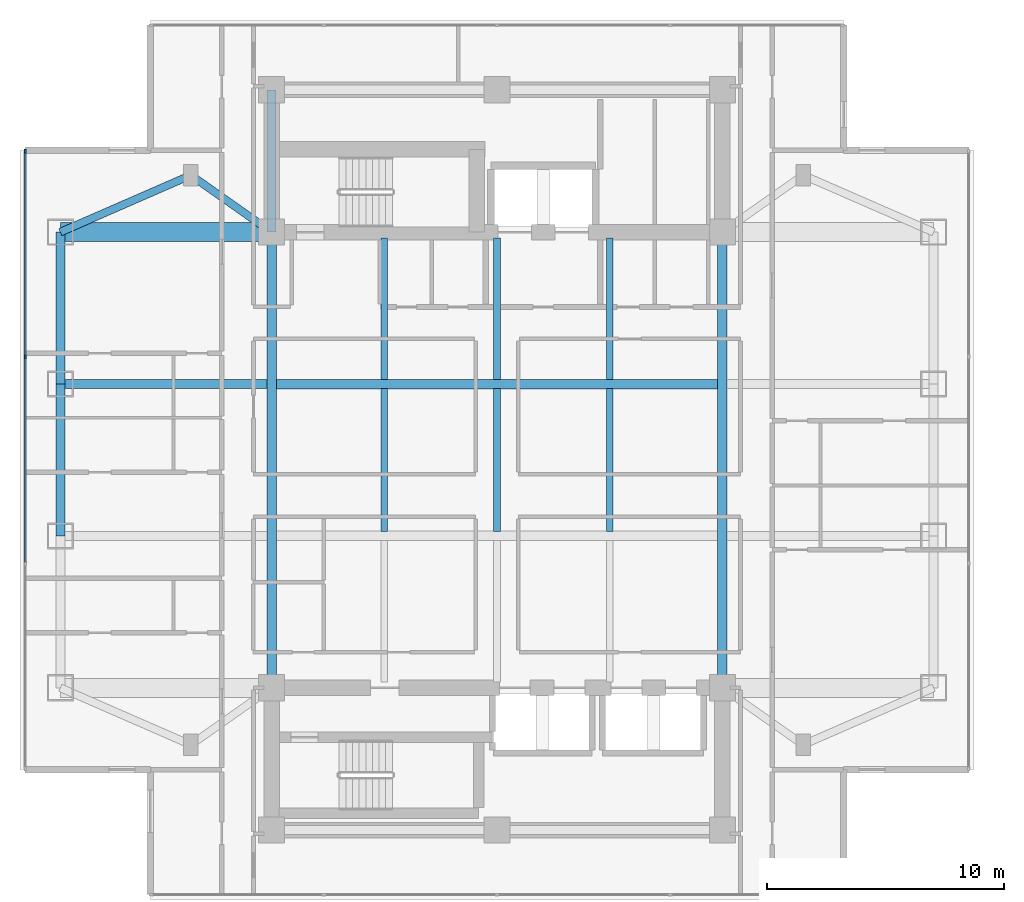
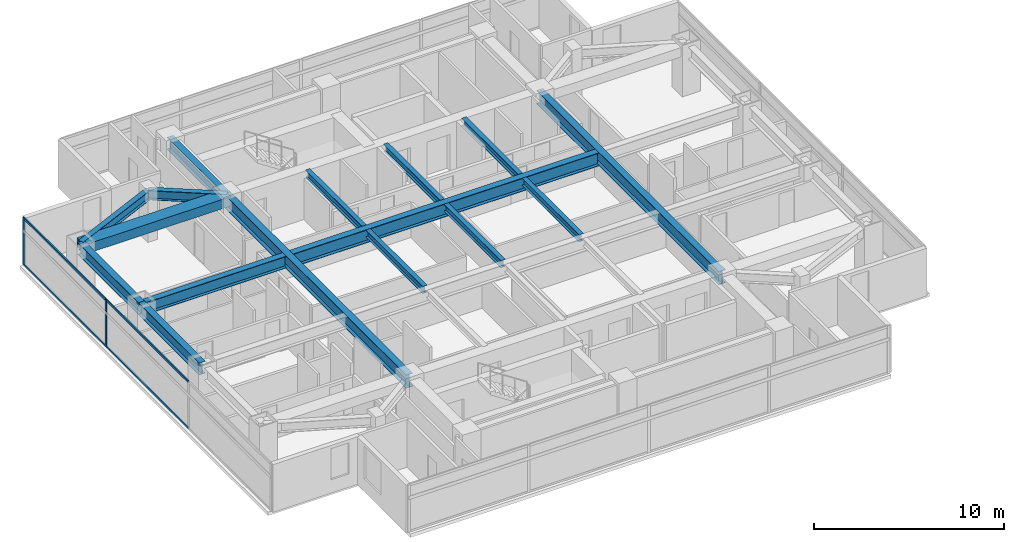
# One storey, part 3 of 24: 16 beams, 6 members, 1 element without a shape of its own.
"""IFC4 building model written with IfcOpenShell, lengths in metres."""

from ifc_helpers import new_model, si_unit, direction, frame, origin, origin_2d, place, context, subcontext, project, spatial, rectangle, i_section, extrude, material, material_profile, profile_set, type_object, element, aggregate, save


model = new_model("IFC4")

# Units and contexts
model_context = context("Model", 3, precision=1e-05, world=origin(), true_north=direction((0.0, 1.0)))
body_context = subcontext(model_context, "Body", "Model", "MODEL_VIEW")
ifc_project = project(units=[si_unit("LENGTHUNIT", "METRE"), si_unit("AREAUNIT", "SQUARE_METRE"), si_unit("VOLUMEUNIT", "CUBIC_METRE"), si_unit("PLANEANGLEUNIT", "RADIAN"), si_unit("MASSUNIT", "GRAM", prefix="KILO")], contexts=[model_context])

# Site, building, storey
site_placement = place(None, origin())
site = spatial("IfcSite", under=ifc_project, at=site_placement, CompositionType="ELEMENT")
building_placement = place(site_placement, origin())
building = spatial("IfcBuilding", under=site, at=building_placement, Name="Mirazonda Arch Towers", CompositionType="ELEMENT")
storey_placement = place(building_placement, frame((0.0, 0.0, 118.10009765625)))
storey = spatial("IfcBuildingStorey", under=building, at=storey_placement, Name="L33", CompositionType="ELEMENT", Elevation=118.10009765625)

# Beams
ifc_material_1 = material(Name="Steel ASTM A992 Grade 50", Category="steel")
ifc_material_profile_1 = material_profile(ifc_material_1, i_section(OverallWidth=0.381103515625, OverallDepth=0.77294921875, WebThickness=0.0166015625, FlangeThickness=0.027099609375, at=origin_2d()), Name="W30X173")
ifc_profile_set_1 = profile_set([ifc_material_profile_1], Name="Steel ASTM A992 Grade 50")
beam_type_1 = type_object("IfcBeamType", Name="BM-EXT-W30X173", PredefinedType="USERDEFINED", material=ifc_profile_set_1)
beam_1_placement = place(storey_placement, frame((2.10009765625, 24.800048828125, 2.693359375), z_axis=(0.0, 1.0, 0.0), x_axis=(-1.0, 0.0, 0.0)))
element("IfcBeam", 1, at=beam_1_placement, inside=storey, type_object=beam_type_1, Name="L33 Floor Beam BM-T1-L33-NS-W-24", ObjectType="GIRDER", PredefinedType="USERDEFINED", context=body_context, shape_type="SweptSolid", body=[
    extrude(i_section(OverallWidth=0.381103515625, OverallDepth=0.77294921875, WebThickness=0.0166015625, FlangeThickness=0.027099609375, at=origin_2d()), origin(), (0.0, 0.0, 1.0), 6.39990234375),
])
beam_2_placement = place(storey_placement, frame((2.10009765625, 31.199951171875, 2.693359375), z_axis=(0.0, 1.0, 0.0), x_axis=(-1.0, 0.0, 0.0)))
element("IfcBeam", 2, at=beam_2_placement, inside=storey, type_object=beam_type_1, Name="L33 Floor Beam BM-T1-L33-NS-W-31", ObjectType="GIRDER", PredefinedType="USERDEFINED", context=body_context, shape_type="SweptSolid", body=[
    extrude(i_section(OverallWidth=0.381103515625, OverallDepth=0.77294921875, WebThickness=0.0166015625, FlangeThickness=0.027099609375, at=origin_2d()), origin(), (0.0, 0.0, 1.0), 6.400146484375),
])
ifc_material_profile_2 = material_profile(ifc_material_1, i_section(OverallWidth=0.280029296875, OverallDepth=0.462890625, WebThickness=0.0107421875, FlangeThickness=0.017333984375, at=origin_2d()), Name="W18X76")
ifc_profile_set_2 = profile_set([ifc_material_profile_2], Name="Steel ASTM A992 Grade 50")
beam_type_2 = type_object("IfcBeamType", Name="BM-INT-W18X76", PredefinedType="JOIST", material=ifc_profile_set_2)
beam_3_placement = place(storey_placement, frame((15.75, 31.39599609375, 2.848388671875), z_axis=(0.0, 1.0, 0.0), x_axis=(-1.0, 0.0, 0.0)))
element("IfcBeam", 3, at=beam_3_placement, inside=storey, type_object=beam_type_2, Name="L33 Floor Beam BM-T1-L33-J-157-31", PredefinedType="JOIST", context=body_context, shape_type="SweptSolid", body=[
    extrude(i_section(OverallWidth=0.280029296875, OverallDepth=0.462890625, WebThickness=0.0107421875, FlangeThickness=0.017333984375, at=origin_2d()), origin(), (0.0, 0.0, 1.0), 5.964111328125),
])
beam_4_placement = place(storey_placement, frame((15.75, 24.99609375, 2.848388671875), z_axis=(0.0, 1.0, 0.0), x_axis=(-1.0, 0.0, 0.0)))
element("IfcBeam", 4, at=beam_4_placement, inside=storey, type_object=beam_type_2, Name="L33 Floor Beam BM-T1-L33-J-157-24", PredefinedType="JOIST", context=body_context, shape_type="SweptSolid", body=[
    extrude(i_section(OverallWidth=0.280029296875, OverallDepth=0.462890625, WebThickness=0.0107421875, FlangeThickness=0.017333984375, at=origin_2d()), origin(), (0.0, 0.0, 1.0), 6.0078125),
])
beam_5_placement = place(storey_placement, frame((20.5, 31.39599609375, 2.848388671875), z_axis=(0.0, 1.0, 0.0), x_axis=(-1.0, 0.0, 0.0)))
element("IfcBeam", 5, at=beam_5_placement, inside=storey, type_object=beam_type_2, Name="L33 Floor Beam BM-T1-L33-J-205-31", PredefinedType="JOIST", context=body_context, shape_type="SweptSolid", body=[
    extrude(i_section(OverallWidth=0.280029296875, OverallDepth=0.462890625, WebThickness=0.0107421875, FlangeThickness=0.017333984375, at=origin_2d()), origin(), (0.0, 0.0, 1.0), 5.964111328125),
])
beam_6_placement = place(storey_placement, frame((20.5, 24.99609375, 2.848388671875), z_axis=(0.0, 1.0, 0.0), x_axis=(-1.0, 0.0, 0.0)))
element("IfcBeam", 6, at=beam_6_placement, inside=storey, type_object=beam_type_2, Name="L33 Floor Beam BM-T1-L33-J-205-24", PredefinedType="JOIST", context=body_context, shape_type="SweptSolid", body=[
    extrude(i_section(OverallWidth=0.280029296875, OverallDepth=0.462890625, WebThickness=0.0107421875, FlangeThickness=0.017333984375, at=origin_2d()), origin(), (0.0, 0.0, 1.0), 6.0078125),
])
beam_7_placement = place(storey_placement, frame((25.25, 31.39599609375, 2.848388671875), z_axis=(0.0, 1.0, 0.0), x_axis=(-1.0, 0.0, 0.0)))
element("IfcBeam", 7, at=beam_7_placement, inside=storey, type_object=beam_type_2, Name="L33 Floor Beam BM-T1-L33-J-252-31", PredefinedType="JOIST", context=body_context, shape_type="SweptSolid", body=[
    extrude(i_section(OverallWidth=0.280029296875, OverallDepth=0.462890625, WebThickness=0.0107421875, FlangeThickness=0.017333984375, at=origin_2d()), origin(), (0.0, 0.0, 1.0), 5.964111328125),
])
beam_8_placement = place(storey_placement, frame((25.25, 24.99609375, 2.848388671875), z_axis=(0.0, 1.0, 0.0), x_axis=(-1.0, 0.0, 0.0)))
element("IfcBeam", 8, at=beam_8_placement, inside=storey, type_object=beam_type_2, Name="L33 Floor Beam BM-T1-L33-J-252-24", PredefinedType="JOIST", context=body_context, shape_type="SweptSolid", body=[
    extrude(i_section(OverallWidth=0.280029296875, OverallDepth=0.462890625, WebThickness=0.0107421875, FlangeThickness=0.017333984375, at=origin_2d()), origin(), (0.0, 0.0, 1.0), 6.0078125),
])
ifc_material_profile_3 = material_profile(ifc_material_1, i_section(OverallWidth=0.324951171875, OverallDepth=0.615966796875, WebThickness=0.013916015625, FlangeThickness=0.021484375, at=origin_2d()), Name="W24X117")
ifc_profile_set_3 = profile_set([ifc_material_profile_3], Name="Steel ASTM A992 Grade 50")
beam_type_3 = type_object("IfcBeamType", Name="BM-INT-W24X117", PredefinedType="BEAM", material=ifc_profile_set_3)
beam_9_placement = place(storey_placement, frame((7.60009765625, 40.0, 2.77197265625), z_axis=(0.816971114901, -0.576678591087, 0.0), x_axis=(0.576678591087, 0.816971114901, 0.0)))
element("IfcBeam", 9, at=beam_9_placement, inside=storey, type_object=beam_type_3, Name="L33 Floor Beam BM-T1-L33-PL-NW1", PredefinedType="BEAM", context=body_context, shape_type="SweptSolid", body=[
    extrude(i_section(OverallWidth=0.324951171875, OverallDepth=0.615966796875, WebThickness=0.013916015625, FlangeThickness=0.021484375, at=origin_2d()), origin(), (0.0, 0.0, 1.0), 4.16162109375),
])
beam_10_placement = place(storey_placement, frame((7.60009765625, 40.0, 2.77197265625), z_axis=(-0.916545343703, -0.399930785183, 0.0), x_axis=(0.399930785183, -0.916545343703, 0.0)))
element("IfcBeam", 10, at=beam_10_placement, inside=storey, type_object=beam_type_3, Name="L33 Floor Beam BM-T1-L33-PL-NW2", PredefinedType="BEAM", context=body_context, shape_type="SweptSolid", body=[
    extrude(i_section(OverallWidth=0.324951171875, OverallDepth=0.615966796875, WebThickness=0.013916015625, FlangeThickness=0.021484375, at=origin_2d()), origin(), (0.0, 0.0, 1.0), 6.000732421875),
])
ifc_material_profile_4 = material_profile(ifc_material_1, i_section(OverallWidth=0.381103515625, OverallDepth=0.77294921875, WebThickness=0.0166015625, FlangeThickness=0.027099609375, at=origin_2d()), Name="W30X173")
ifc_profile_set_4 = profile_set([ifc_material_profile_4], Name="Steel ASTM A992 Grade 50")
beam_type_4 = type_object("IfcBeamType", Name="BM-INT-W30X173", PredefinedType="USERDEFINED", material=ifc_profile_set_4)
beam_11_placement = place(storey_placement, frame((2.10009765625, 31.199951171875, 2.693359375), z_axis=(1.0, 0.0, 0.0), x_axis=(0.0, 1.0, 0.0)))
element("IfcBeam", 11, at=beam_11_placement, inside=storey, type_object=beam_type_4, Name="L33 Floor Beam BM-T1-L33-GW3", ObjectType="GIRDER", PredefinedType="USERDEFINED", context=body_context, shape_type="SweptSolid", body=[
    extrude(i_section(OverallWidth=0.381103515625, OverallDepth=0.77294921875, WebThickness=0.0166015625, FlangeThickness=0.027099609375, at=origin_2d()), origin(), (0.0, 0.0, 1.0), 8.699951171875),
])
beam_12_placement = place(storey_placement, frame((11.0, 37.60009765625, 2.693359375), z_axis=(0.0, 1.0, 0.0), x_axis=(-1.0, 0.0, 0.0)))
element("IfcBeam", 12, at=beam_12_placement, inside=storey, type_object=beam_type_4, Name="L33 Floor Beam BM-T1-L33-CNW", ObjectType="GIRDER", PredefinedType="USERDEFINED", context=body_context, shape_type="SweptSolid", body=[
    extrude(i_section(OverallWidth=0.381103515625, OverallDepth=0.77294921875, WebThickness=0.0166015625, FlangeThickness=0.027099609375, at=origin_2d()), origin(), (0.0, 0.0, 1.0), 6.0),
])
ifc_material_profile_5 = material_profile(ifc_material_1, i_section(OverallWidth=0.39990234375, OverallDepth=0.85595703125, WebThickness=0.018310546875, FlangeThickness=0.029296875, at=origin_2d()), Name="W33X201")
ifc_profile_set_5 = profile_set([ifc_material_profile_5], Name="Steel ASTM A992 Grade 50")
beam_type_5 = type_object("IfcBeamType", Name="BM-INT-W33X201", PredefinedType="USERDEFINED", material=ifc_profile_set_5)
beam_13_placement = place(storey_placement, frame((11.199951171875, 31.199951171875, 2.65185546875), z_axis=(1.0, 0.0, 0.0), x_axis=(0.0, 1.0, 0.0)))
element("IfcBeam", 13, at=beam_13_placement, inside=storey, type_object=beam_type_5, Name="L33 Floor Beam BM-T1-L33-GC3", ObjectType="GIRDER", PredefinedType="USERDEFINED", context=body_context, shape_type="SweptSolid", body=[
    extrude(i_section(OverallWidth=0.39990234375, OverallDepth=0.85595703125, WebThickness=0.018310546875, FlangeThickness=0.029296875, at=origin_2d()), origin(), (0.0, 0.0, 1.0), 18.60009765625),
])
for number, where, z_axis, x_axis, name in (
    (14, (11.0, 18.39990234375, 2.65185546875), (0.0, 1.0, 0.0), (-1.0, 0.0, 0.0), "L33 Floor Beam BM-T1-L33-NS-CW-FULL"),
    (15, (30.0, 18.39990234375, 2.65185546875), (0.0, 1.0, 0.0), (-1.0, 0.0, 0.0), "L33 Floor Beam BM-T1-L33-NS-CE-FULL"),
):
    element("IfcBeam", number, at=place(storey_placement, frame(where, z_axis=z_axis, x_axis=x_axis)), inside=storey, type_object=beam_type_5, Name=name, ObjectType="GIRDER", PredefinedType="USERDEFINED", context=body_context, shape_type="SweptSolid", body=[
        extrude(i_section(OverallWidth=0.39990234375, OverallDepth=0.85595703125, WebThickness=0.018310546875, FlangeThickness=0.029296875, at=origin_2d()), origin(), (0.0, 0.0, 1.0), 19.2001953125),
    ])
ifc_material_2 = material(Name="Concrete C60/75", Category="concrete")
ifc_material_profile_6 = material_profile(ifc_material_2, rectangle(XDim=0.800048828125, YDim=0.60009765625, at=origin_2d()), Name="RCCB800x600")
ifc_profile_set_6 = profile_set([ifc_material_profile_6], Name="Concrete C60/75")
beam_type_6 = type_object("IfcBeamType", Name="CB-INT-RCCB800x600", PredefinedType="SPANDREL", material=ifc_profile_set_6)
beam_14_placement = place(storey_placement, frame((2.10009765625, 37.60009765625, 2.77978515625), z_axis=(1.0, 0.0, 0.0), x_axis=(0.0, 1.0, 0.0)))
element("IfcBeam", 16, at=beam_14_placement, inside=storey, type_object=beam_type_6, Name="L33 Floor Beam CBC-T1-L33-NW", PredefinedType="SPANDREL", context=body_context, shape_type="SweptSolid", body=[
    extrude(rectangle(XDim=0.800048828125, YDim=0.60009765625, at=origin_2d()), origin(), (0.0, 0.0, 1.0), 8.89990234375),
])

# Curtain wall, members
ifc_material_3 = material(Name="Anodised Aluminium and Low-E Glass", Category="aluminium")
curtain_wall_type = type_object("IfcCurtainWallType", Name="CW-HTL-UNIT", PredefinedType="NOTDEFINED", material=ifc_material_3)
curtain_wall_placement = place(storey_placement, origin())
curtain_wall = element("IfcCurtainWall", 17, at=curtain_wall_placement, inside=storey, type_object=curtain_wall_type, Name="L33 T1 W Facade CW-L33-T1-W", PredefinedType="NOTDEFINED")
ifc_material_4 = material(Name="Anodised Aluminium Alloy", Category="aluminium")
ifc_material_profile_7 = material_profile(ifc_material_4, rectangle(XDim=0.074951171875, YDim=0.1650390625, at=origin_2d()), Name="ALU-MULL-75x165")
ifc_profile_set_7 = profile_set([ifc_material_profile_7], Name="Anodised Aluminium Alloy")
member_type_1 = type_object("IfcMemberType", Name="MULL-CW-HTL-UNIT", PredefinedType="MULLION", material=ifc_profile_set_7)
member_1_placement = place(storey_placement, frame((0.6201171875, 41.012451171875, 0.0), z_axis=(0.0, 0.0, 1.0), x_axis=(1.0, 0.0, 0.0)))
member_1 = element("IfcMember", 18, at=member_1_placement, type_object=member_type_1, Name="CW-112 mullion 1", PredefinedType="MULLION", context=body_context, shape_type="SweptSolid", body=[
    extrude(rectangle(XDim=0.074951171875, YDim=0.1650390625, at=origin_2d()), origin(), (0.0, 0.0, 1.0), 3.059814453125),
])
member_2_placement = place(storey_placement, frame((0.6201171875, 32.35009765625, 0.0), z_axis=(0.0, 0.0, 1.0), x_axis=(1.0, 0.0, 0.0)))
member_2 = element("IfcMember", 19, at=member_2_placement, type_object=member_type_1, Name="CW-112 mullion 2", PredefinedType="MULLION", context=body_context, shape_type="SweptSolid", body=[
    extrude(rectangle(XDim=0.074951171875, YDim=0.1650390625, at=origin_2d()), origin(), (0.0, 0.0, 1.0), 3.059814453125),
])
ifc_material_profile_8 = material_profile(ifc_material_4, rectangle(XDim=0.074951171875, YDim=0.14501953125, at=origin_2d()), Name="ALU-TRAN-75x145")
ifc_profile_set_8 = profile_set([ifc_material_profile_8], Name="Anodised Aluminium Alloy")
member_type_2 = type_object("IfcMemberType", Name="TRAN-CW-HTL-UNIT", PredefinedType="USERDEFINED", material=ifc_profile_set_8)
member_3_placement = place(storey_placement, frame((0.6201171875, 40.97509765625, 0.037353515625), z_axis=(0.0, -1.0, 0.0), x_axis=(1.0, 0.0, 0.0)))
member_3 = element("IfcMember", 20, at=member_3_placement, type_object=member_type_2, Name="CW-112 transom 1.1", ObjectType="TRANSOM", PredefinedType="USERDEFINED", context=body_context, shape_type="SweptSolid", body=[
    extrude(rectangle(XDim=0.074951171875, YDim=0.14501953125, at=origin_2d()), origin(), (0.0, 0.0, 1.0), 8.587646484375),
])
member_4_placement = place(storey_placement, frame((0.6201171875, 40.97509765625, 3.0224609375), z_axis=(0.0, -1.0, 0.0), x_axis=(1.0, 0.0, 0.0)))
member_4 = element("IfcMember", 21, at=member_4_placement, type_object=member_type_2, Name="CW-112 transom 1.2", ObjectType="TRANSOM", PredefinedType="USERDEFINED", context=body_context, shape_type="SweptSolid", body=[
    extrude(rectangle(XDim=0.074951171875, YDim=0.14501953125, at=origin_2d()), origin(), (0.0, 0.0, 1.0), 8.587646484375),
])
member_5_placement = place(storey_placement, frame((0.6201171875, 32.3125, 0.037353515625), z_axis=(0.0, -1.0, 0.0), x_axis=(1.0, 0.0, 0.0)))
member_5 = element("IfcMember", 22, at=member_5_placement, type_object=member_type_2, Name="CW-112 transom 2.1", ObjectType="TRANSOM", PredefinedType="USERDEFINED", context=body_context, shape_type="SweptSolid", body=[
    extrude(rectangle(XDim=0.074951171875, YDim=0.14501953125, at=origin_2d()), origin(), (0.0, 0.0, 1.0), 8.625),
])
member_6_placement = place(storey_placement, frame((0.6201171875, 32.3125, 3.0224609375), z_axis=(0.0, -1.0, 0.0), x_axis=(1.0, 0.0, 0.0)))
member_6 = element("IfcMember", 23, at=member_6_placement, type_object=member_type_2, Name="CW-112 transom 2.2", ObjectType="TRANSOM", PredefinedType="USERDEFINED", context=body_context, shape_type="SweptSolid", body=[
    extrude(rectangle(XDim=0.074951171875, YDim=0.14501953125, at=origin_2d()), origin(), (0.0, 0.0, 1.0), 8.625),
])
aggregate(curtain_wall, [member_1, member_2, member_3, member_4, member_5, member_6])

save(model, "model.ifc")
